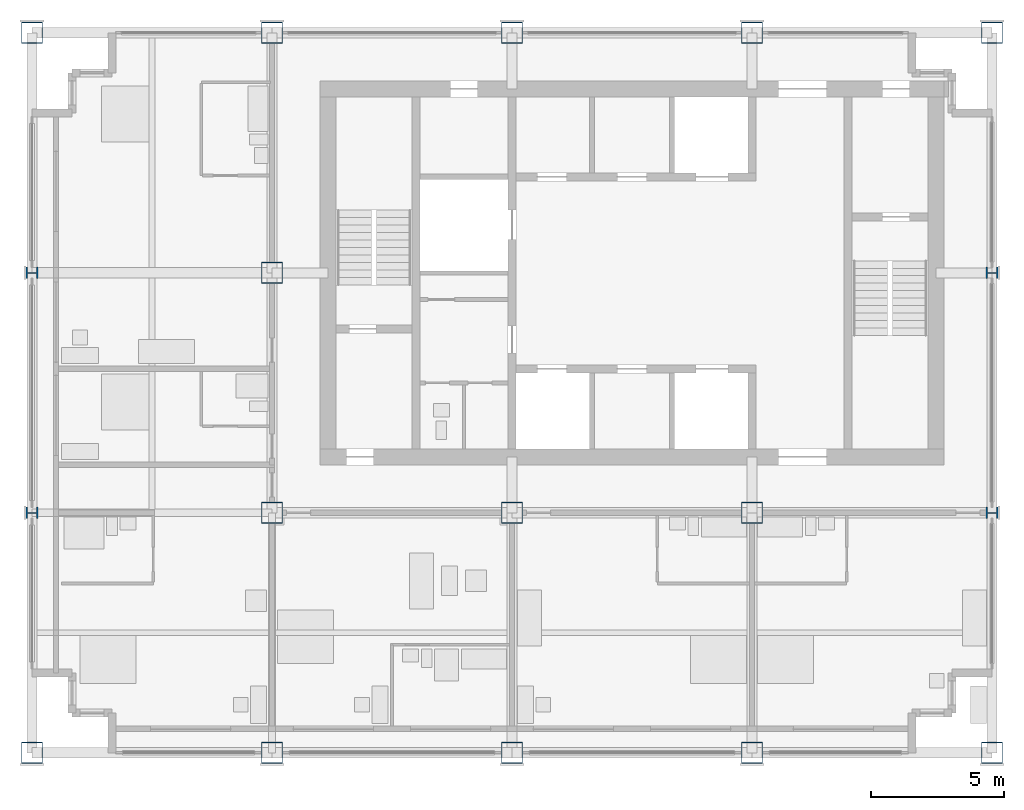
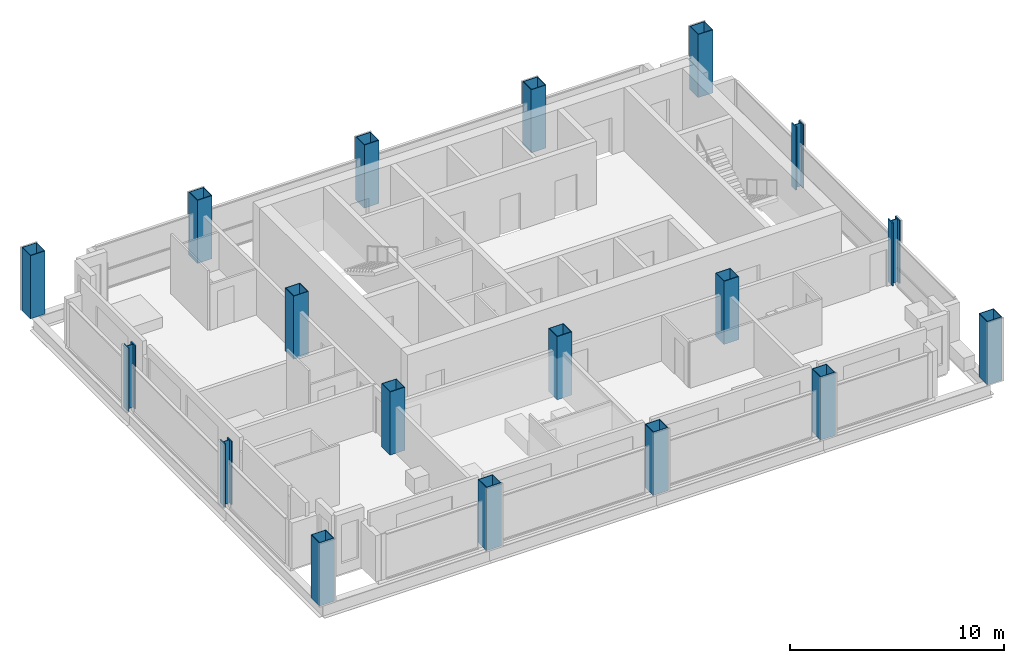
# One storey, part 1 of 11: 18 columns.
"""IFC4 building model written with IfcOpenShell, lengths in metres."""

import ifcopenshell
import ifcopenshell.guid

model = None  # the IFC model being written
_history = None  # IfcOwnerHistory: only IFC2X3 demands one
_inside = {}  # id of a spatial element -> (the spatial element, [elements in it])
_under = {}  # id of a project, library or spatial element -> (it, [spatial elements below it])
_declared = {}  # id of a project -> (the project, [libraries it declares])
_typed = {}  # id of a type object -> (the type object, [elements of that type])
_made_of = {}  # id of a material, layer set ... -> (it, [elements and type objects made of it])


def new_model(schema):
    """Start an empty IFC model of exactly this schema.

    Asked for "IFC4X3", IfcOpenShell would pick the latest addendum, in which some entities
    have other attributes; the version numbers below select the first issue.
    IFC2X3 requires an IfcOwnerHistory on every rooted entity: one is made here for all.
    """
    global model, _history
    if schema == "IFC4X3":
        model = ifcopenshell.file(schema_version=(4, 3, 0, 0))
    else:
        model = ifcopenshell.file(schema=schema)
    _inside.clear()
    _under.clear()
    _declared.clear()
    _typed.clear()
    _made_of.clear()
    _history = None
    if model.schema == "IFC2X3":
        org = make("IfcOrganization", Name="unknown")
        user = make(
            "IfcPersonAndOrganization",
            ThePerson=make("IfcPerson", FamilyName="unknown"),
            TheOrganization=org,
        )
        app = make(
            "IfcApplication",
            ApplicationDeveloper=org,
            Version="unknown",
            ApplicationFullName="unknown",
            ApplicationIdentifier="unknown",
        )
        _history = make(
            "IfcOwnerHistory",
            OwningUser=user,
            OwningApplication=app,
            ChangeAction="ADDED",
            CreationDate=0,
        )
    return model


def make(cls, **values):
    """One entity of the class cls with the attributes given. An attribute that is None is left unset."""
    return model.create_entity(
        cls, **{name: value for name, value in values.items() if value is not None}
    )


def rooted(cls, **values):
    """An entity with a GlobalId (a new one), such as an element, a storey or a relation."""
    return make(cls, GlobalId=ifcopenshell.guid.new(), OwnerHistory=_history, **values)


def si_unit(unit_type, name, prefix=None):
    """IfcSIUnit, for example si_unit("LENGTHUNIT", "METRE", prefix="MILLI")."""
    return make("IfcSIUnit", UnitType=unit_type, Prefix=prefix, Name=name)


def assignment(units):
    """IfcUnitAssignment: the units of a project."""
    return None if units is None else make("IfcUnitAssignment", Units=units)


def point(xyz):
    """IfcCartesianPoint."""
    return None if xyz is None else make("IfcCartesianPoint", Coordinates=xyz)


def direction(xyz):
    """IfcDirection."""
    return None if xyz is None else make("IfcDirection", DirectionRatios=xyz)


def frame(location, z_axis=None, x_axis=None):
    """IfcAxis2Placement3D, a coordinate frame: its origin and axes. An axis left out is left unset."""
    return make(
        "IfcAxis2Placement3D",
        Location=point(location),
        Axis=direction(z_axis),
        RefDirection=direction(x_axis),
    )


def frame_2d(location, x_axis=None):
    """IfcAxis2Placement2D, a coordinate frame in the plane: its origin and x axis."""
    return make(
        "IfcAxis2Placement2D", Location=point(location), RefDirection=direction(x_axis)
    )


def origin():
    """The frame at (0, 0, 0) with its axes left unset."""
    return frame((0.0, 0.0, 0.0))


def origin_2d():
    """The frame at (0, 0) in the plane with its x axis left unset."""
    return frame_2d((0.0, 0.0))


def place(relative_to, where):
    """IfcLocalPlacement: puts the frame where relative to a parent placement (None: the world)."""
    return make(
        "IfcLocalPlacement", PlacementRelTo=relative_to, RelativePlacement=where
    )


def context(
    kind, dimensions, precision=None, world=None, true_north=None, identifier=None
):
    """IfcGeometricRepresentationContext, for example the 3D "Model" context."""
    return make(
        "IfcGeometricRepresentationContext",
        ContextIdentifier=identifier,
        ContextType=kind,
        CoordinateSpaceDimension=dimensions,
        Precision=precision,
        WorldCoordinateSystem=world,
        TrueNorth=true_north,
    )


def subcontext(parent, identifier, kind, view, scale=None):
    """IfcGeometricRepresentationSubContext, for example "Body" below "Model"."""
    return make(
        "IfcGeometricRepresentationSubContext",
        ContextIdentifier=identifier,
        ContextType=kind,
        ParentContext=parent,
        TargetScale=scale,
        TargetView=view,
    )


def project(units=None, contexts=None):
    """IfcProject with its units and contexts."""
    return rooted(
        "IfcProject",
        Name="project",
        RepresentationContexts=contexts,
        UnitsInContext=assignment(units),
    )


def spatial(cls, under=None, at=None, **own):
    """A site, building, storey or space (cls), placed at a placement, below another one or the project."""
    s = rooted(cls, ObjectPlacement=at, **own)
    if under is not None:
        _under.setdefault(under.id(), (under, []))[1].append(s)
    return s


def profile(cls, at=None, kind="AREA", **sizes):
    """A parametric profile (cls). Its sizes go by their IFC names, for example OverallWidth=200.0."""
    return make(cls, ProfileType=kind, Position=at, **sizes)


def hollow_rectangle(**sizes):
    """IfcRectangleHollowProfileDef."""
    return profile("IfcRectangleHollowProfileDef", **sizes)


def i_section(**sizes):
    """IfcIShapeProfileDef."""
    return profile("IfcIShapeProfileDef", **sizes)


def extrude(swept, where, along, depth):
    """IfcExtrudedAreaSolid: the profile swept, set in the frame where, extruded along a direction by depth."""
    return make(
        "IfcExtrudedAreaSolid",
        SweptArea=swept,
        Position=where,
        ExtrudedDirection=direction(along),
        Depth=depth,
    )


def shape(context_of_items, identifier, shape_type, items):
    """IfcShapeRepresentation: the items that make up one representation, for example the "Body"."""
    return make(
        "IfcShapeRepresentation",
        ContextOfItems=context_of_items,
        RepresentationIdentifier=identifier,
        RepresentationType=shape_type,
        Items=items,
    )


def material(Name=None, Category=None):
    """IfcMaterial."""
    return make("IfcMaterial", Name=Name, Category=Category)


def material_profile(
    of_material, cross_section, Name=None, Category=None, Priority=None
):
    """IfcMaterialProfile: a cross section and its material."""
    return make(
        "IfcMaterialProfile",
        Name=Name,
        Material=of_material,
        Profile=cross_section,
        Priority=Priority,
        Category=Category,
    )


def profile_set(profiles, Name=None, composite=None):
    """IfcMaterialProfileSet."""
    return make(
        "IfcMaterialProfileSet",
        Name=Name,
        MaterialProfiles=profiles,
        CompositeProfile=composite,
    )


def made_of(thing, what):
    """Note that an element or type object is made of a material, layer set ...; save() writes the relation."""
    if what is not None:
        _made_of.setdefault(what.id(), (what, []))[1].append(thing)
    return thing


def type_object(cls, material=None, **own):
    """A type object (cls), such as IfcWallType, which elements share."""
    return made_of(rooted(cls, **own), material)


def element(
    cls,
    number,
    at=None,
    inside=None,
    cuts=None,
    type_object=None,
    material=None,
    context=None,
    identifier="Body",
    shape_type=None,
    held_by="IfcProductDefinitionShape",
    body=None,
    shapes=None,
    **own,
):
    """One element of the class cls, such as IfcWall. Its Tag is "e" and its number.

    at: its placement. inside: the storey or other place that contains it. cuts: it is an
    opening in that element (IfcRelVoidsElement). A single representation is given by context,
    identifier, shape_type and body (its items); several are given by shapes. held_by: the class
    of the entity that holds the representations. save() writes the other relations.
    """
    e = rooted(cls, Tag="e%d" % number, ObjectPlacement=at, **own)
    if body is not None:
        shapes = [shape(context, identifier, shape_type, body)]
    if shapes is not None:
        e.Representation = make(held_by, Representations=shapes)
    if inside is not None:
        _inside.setdefault(inside.id(), (inside, []))[1].append(e)
    if cuts is not None:
        rooted(
            "IfcRelVoidsElement", RelatingBuildingElement=cuts, RelatedOpeningElement=e
        )
    if type_object is not None:
        _typed.setdefault(type_object.id(), (type_object, []))[1].append(e)
    return made_of(e, material)


def aggregate(whole, parts):
    """IfcRelAggregates: a whole, such as a stair, and the parts it consists of."""
    return rooted("IfcRelAggregates", RelatingObject=whole, RelatedObjects=parts)


def save(model, path):
    """Write the relations noted so far, then the file.

    IfcRelAggregates (storeys below a building ...), IfcRelContainedInSpatialStructure (elements
    in a storey), IfcRelDefinesByType, IfcRelAssociatesMaterial and IfcRelDeclares: one each for
    every whole, place, type object, material and project.
    """
    for whole, parts in _under.values():
        aggregate(whole, parts)
    for where, things in _inside.values():
        rooted(
            "IfcRelContainedInSpatialStructure",
            RelatedElements=things,
            RelatingStructure=where,
        )
    for kind, things in _typed.values():
        rooted("IfcRelDefinesByType", RelatedObjects=things, RelatingType=kind)
    for what, things in _made_of.values():
        rooted("IfcRelAssociatesMaterial", RelatedObjects=things, RelatingMaterial=what)
    for by, libraries in _declared.values():
        rooted("IfcRelDeclares", RelatingContext=by, RelatedDefinitions=libraries)
    model.write(path)


model = new_model("IFC4")

# Units and contexts
model_context = context("Model", 3, precision=1e-05, world=origin(), true_north=direction((0.0, 1.0)))
body_context = subcontext(model_context, "Body", "Model", "MODEL_VIEW")
ifc_project = project(units=[si_unit("LENGTHUNIT", "METRE"), si_unit("AREAUNIT", "SQUARE_METRE"), si_unit("VOLUMEUNIT", "CUBIC_METRE"), si_unit("PLANEANGLEUNIT", "RADIAN"), si_unit("MASSUNIT", "GRAM", prefix="KILO")], contexts=[model_context])

# Site, building, storey
site_placement = place(None, origin())
site = spatial("IfcSite", under=ifc_project, at=site_placement, CompositionType="ELEMENT")
building_placement = place(site_placement, origin())
building = spatial("IfcBuilding", under=site, at=building_placement, Name="Loomwork Tower", CompositionType="ELEMENT")
storey_placement = place(building_placement, frame((0.0, 0.0, 248.199951171875)))
storey = spatial("IfcBuildingStorey", under=building, at=storey_placement, Name="L68", CompositionType="ELEMENT", Elevation=248.199951171875)

# Columns
ifc_material_1 = material(Name="Steel ASTM A572 Grade 50 plate", Category="steel")
ifc_material_profile_1 = material_profile(ifc_material_1, hollow_rectangle(XDim=0.800048828125, YDim=0.800048828125, WallThickness=0.031982421875, at=origin_2d()), Name="BOX800x32")
ifc_profile_set_1 = profile_set([ifc_material_profile_1], Name="Steel ASTM A572 Grade 50 plate")
column_type_1 = type_object("IfcColumnType", Name="EXOSKELETON PIER BOX800x32", PredefinedType="COLUMN", material=ifc_profile_set_1)
for number, where, z_axis, x_axis, name in (
    (1, (0.0, 0.0, 0.0), (0.0, 0.0, 1.0), (1.0, 0.0, 0.0), "Exoskeleton Pier D/2 L68"),
    (2, (0.0, 27.0, 0.0), (0.0, 0.0, 1.0), (0.0, 1.0, 0.0), "Exoskeleton Pier G/2 L68"),
    (3, (9.0, 0.0, 0.0), (0.0, 0.0, 1.0), (1.0, 0.0, 0.0), "Exoskeleton Pier D/3 L68"),
    (4, (9.0, 27.0, 0.0), (0.0, 0.0, 1.0), (1.0, 0.0, 0.0), "Exoskeleton Pier G/3 L68"),
    (5, (18.0, 0.0, 0.0), (0.0, 0.0, 1.0), (1.0, 0.0, 0.0), "Exoskeleton Pier D/4 L68"),
    (6, (18.0, 27.0, 0.0), (0.0, 0.0, 1.0), (1.0, 0.0, 0.0), "Exoskeleton Pier G/4 L68"),
    (7, (27.0, 0.0, 0.0), (0.0, 0.0, 1.0), (1.0, 0.0, 0.0), "Exoskeleton Pier D/5 L68"),
    (8, (27.0, 27.0, 0.0), (0.0, 0.0, 1.0), (1.0, 0.0, 0.0), "Exoskeleton Pier G/5 L68"),
    (9, (36.0, 0.0, 0.0), (0.0, 0.0, 1.0), (1.0, 0.0, 0.0), "Exoskeleton Pier D/6 L68"),
    (10, (36.0, 27.0, 0.0), (0.0, 0.0, 1.0), (1.0, 0.0, 0.0), "Exoskeleton Pier G/6 L68"),
):
    element("IfcColumn", number, at=place(storey_placement, frame(where, z_axis=z_axis, x_axis=x_axis)), inside=storey, type_object=column_type_1, Name=name, PredefinedType="COLUMN", context=body_context, shape_type="SweptSolid", body=[
        extrude(hollow_rectangle(XDim=0.800048828125, YDim=0.800048828125, WallThickness=0.031982421875, at=origin_2d()), origin(), (0.0, 0.0, 1.0), 3.60009765625),
    ])
ifc_material_2 = material(Name="Steel ASTM A992", Category="steel")
ifc_material_profile_2 = material_profile(ifc_material_2, i_section(OverallWidth=0.41650390625, OverallDepth=0.444580078125, WebThickness=0.0390625, FlangeThickness=0.062744140625, at=origin_2d()), Name="W14x342")
ifc_profile_set_2 = profile_set([ifc_material_profile_2], Name="Steel ASTM A992")
column_type_2 = type_object("IfcColumnType", Name="EXOSKELETON PIER W14x342", PredefinedType="COLUMN", material=ifc_profile_set_2)
for number, where, z_axis, x_axis, name in (
    (11, (0.0, 9.0, 0.0), (0.0, 0.0, 1.0), (0.0, 1.0, 0.0), "Exoskeleton Pier E/2 L68"),
    (12, (0.0, 18.0, 0.0), (0.0, 0.0, 1.0), (0.0, 1.0, 0.0), "Exoskeleton Pier F/2 L68"),
    (13, (36.0, 9.0, 0.0), (0.0, 0.0, 1.0), (0.0, 1.0, 0.0), "Exoskeleton Pier E/6 L68"),
    (14, (36.0, 18.0, 0.0), (0.0, 0.0, 1.0), (0.0, 1.0, 0.0), "Exoskeleton Pier F/6 L68"),
):
    element("IfcColumn", number, at=place(storey_placement, frame(where, z_axis=z_axis, x_axis=x_axis)), inside=storey, type_object=column_type_2, Name=name, PredefinedType="COLUMN", context=body_context, shape_type="SweptSolid", body=[
        extrude(i_section(OverallWidth=0.41650390625, OverallDepth=0.444580078125, WebThickness=0.0390625, FlangeThickness=0.062744140625, at=origin_2d()), origin(), (0.0, 0.0, 1.0), 3.60009765625),
    ])
ifc_material_3 = material(Name="Steel ASTM A572 Grade 50 plate", Category="steel")
ifc_material_profile_3 = material_profile(ifc_material_3, hollow_rectangle(XDim=0.800048828125, YDim=0.800048828125, WallThickness=0.031982421875, at=origin_2d()), Name="BOX800x32")
ifc_profile_set_3 = profile_set([ifc_material_profile_3], Name="Steel ASTM A572 Grade 50 plate")
column_type_3 = type_object("IfcColumnType", Name="TOWER COLUMN BOX800x32", PredefinedType="COLUMN", material=ifc_profile_set_3)
for number, where, z_axis, x_axis, name in (
    (15, (9.0, 9.0, 0.0), (0.0, 0.0, 1.0), (1.0, 0.0, 0.0), "Tower Column E/3 L68"),
    (16, (9.0, 18.0, 0.0), (0.0, 0.0, 1.0), (1.0, 0.0, 0.0), "Tower Column F/3 L68"),
    (17, (18.0, 9.0, 0.0), (0.0, 0.0, 1.0), (1.0, 0.0, 0.0), "Tower Column E/4 L68"),
    (18, (27.0, 9.0, 0.0), (0.0, 0.0, 1.0), (1.0, 0.0, 0.0), "Tower Column E/5 L68"),
):
    element("IfcColumn", number, at=place(storey_placement, frame(where, z_axis=z_axis, x_axis=x_axis)), inside=storey, type_object=column_type_3, Name=name, PredefinedType="COLUMN", context=body_context, shape_type="SweptSolid", body=[
        extrude(hollow_rectangle(XDim=0.800048828125, YDim=0.800048828125, WallThickness=0.031982421875, at=origin_2d()), origin(), (0.0, 0.0, 1.0), 3.60009765625),
    ])

save(model, "model.ifc")
